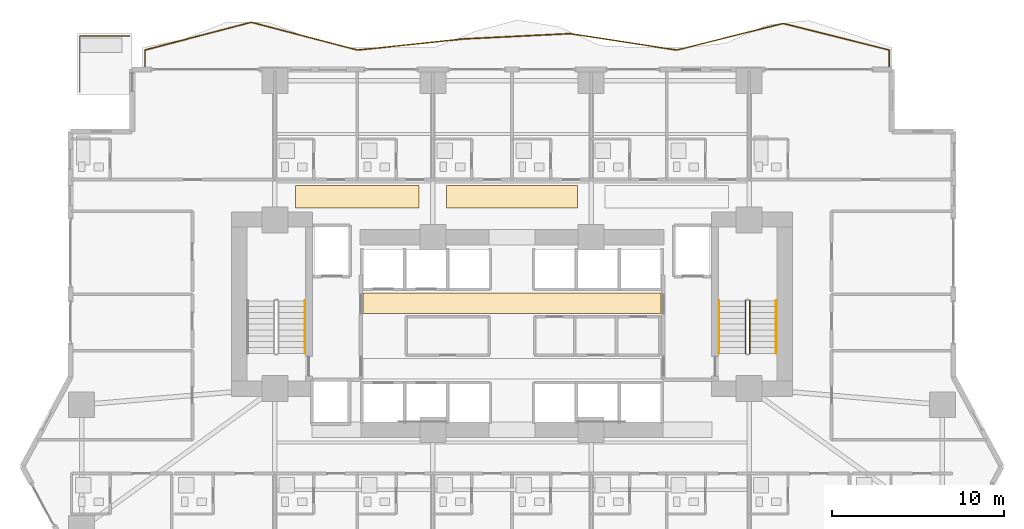
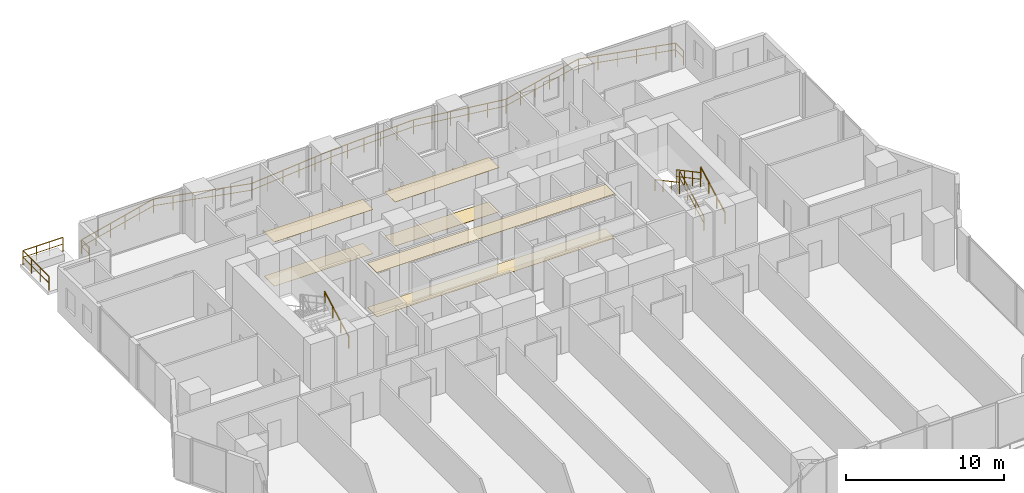
# One storey, part 27 of 29: 7 railings, 6 coverings.
"""IFC4 building model written with IfcOpenShell, lengths in metres."""

from ifc_helpers import new_model, si_unit, direction, frame, origin, origin_2d, place, context, subcontext, project, spatial, polyline, rectangle, outline, extrude, material, layer, layer_set, type_object, element, save


model = new_model("IFC4")

# Units and contexts
model_context = context("Model", 3, precision=1e-05, world=origin(), true_north=direction((0.0, 1.0)))
body_context = subcontext(model_context, "Body", "Model", "MODEL_VIEW")
ifc_project = project(units=[si_unit("LENGTHUNIT", "METRE"), si_unit("AREAUNIT", "SQUARE_METRE"), si_unit("VOLUMEUNIT", "CUBIC_METRE"), si_unit("PLANEANGLEUNIT", "RADIAN"), si_unit("MASSUNIT", "GRAM", prefix="KILO")], contexts=[model_context])

# Site, building, storey
site_placement = place(None, origin())
site = spatial("IfcSite", under=ifc_project, at=site_placement, CompositionType="ELEMENT")
building_placement = place(site_placement, origin())
building = spatial("IfcBuilding", under=site, at=building_placement, Name="Zuhayl Quay Hotel", CompositionType="ELEMENT")
storey_placement = place(building_placement, frame((0.0, 0.0, 67.75)))
storey = spatial("IfcBuildingStorey", under=building, at=storey_placement, Name="L16", CompositionType="ELEMENT", Elevation=67.75)

# Coverings
ifc_material_1 = material(Name="Acoustic Mineral-Fibre Gypsum Board")
ifc_layer_1 = layer(ifc_material_1, 0.02490234375, Name="Acoustic Mineral-Fibre Gypsum Board")
ifc_layer_set_1 = layer_set([ifc_layer_1], Name="Acoustic Mineral-Fibre Gypsum Board")
covering_type_1 = type_object("IfcCoveringType", Name="CV_CEIL_ACOUSTIC", PredefinedType="CEILING", material=ifc_layer_set_1)
covering_1_placement = place(storey_placement, frame((0.0, 0.0, 3.405029296875)))
element("IfcCovering", 1, at=covering_1_placement, inside=storey, type_object=covering_type_1, Name="L16 Suspended Acoustic Lobby Ceiling N", PredefinedType="CEILING", context=body_context, shape_type="SweptSolid", body=[
    extrude(outline(polyline([(-8.679931640625, 8.89990234375), (8.679931640625, 8.89990234375), (8.679931640625, 10.10009765625), (-8.679931640625, 10.10009765625), (-8.679931640625, 8.89990234375)])), origin(), (0.0, 0.0, 1.0), 0.02490234375),
])
covering_2_placement = place(storey_placement, frame((0.0, 0.0, 3.405029296875)))
element("IfcCovering", 2, at=covering_2_placement, inside=storey, type_object=covering_type_1, Name="L16 Guest Corridor Acoustic Ceiling CW", PredefinedType="CEILING", context=body_context, shape_type="SweptSolid", body=[
    extrude(outline(polyline([(-12.60009765625, 15.050048828125), (-5.39990234375, 15.050048828125), (-5.39990234375, 16.35009765625), (-12.60009765625, 16.35009765625), (-12.60009765625, 15.050048828125)])), origin(), (0.0, 0.0, 1.0), 0.02490234375),
])
covering_3_placement = place(storey_placement, frame((0.0, 0.0, 3.405029296875)))
element("IfcCovering", 3, at=covering_3_placement, inside=storey, type_object=covering_type_1, Name="L16 Guest Corridor Acoustic Ceiling CC", PredefinedType="CEILING", context=body_context, shape_type="SweptSolid", body=[
    extrude(outline(polyline([(-3.800048828125, 15.050048828125), (3.800048828125, 15.050048828125), (3.800048828125, 16.35009765625), (-3.800048828125, 16.35009765625), (-3.800048828125, 15.050048828125)])), origin(), (0.0, 0.0, 1.0), 0.02490234375),
])
ifc_material_2 = material(Name="Polished Limestone Terrazzo", Category="masonry")
ifc_layer_2 = layer(ifc_material_2, 0.02001953125, Name="Polished Limestone Terrazzo", Category="masonry")
ifc_layer_set_2 = layer_set([ifc_layer_2], Name="Polished Limestone Terrazzo")
covering_type_2 = type_object("IfcCoveringType", Name="CV_FLOOR_TERRAZZO", PredefinedType="FLOORING", material=ifc_layer_set_2)
covering_4_placement = place(storey_placement, origin())
element("IfcCovering", 4, at=covering_4_placement, inside=storey, type_object=covering_type_2, Name="L16 Honed Limestone Terrazzo Lobby Flooring N", PredefinedType="FLOORING", context=body_context, shape_type="SweptSolid", body=[
    extrude(outline(polyline([(-8.679931640625, 8.89990234375), (8.679931640625, 8.89990234375), (8.679931640625, 10.10009765625), (-8.679931640625, 10.10009765625), (-8.679931640625, 8.89990234375)])), origin(), (0.0, 0.0, 1.0), 0.02001953125),
])
covering_5_placement = place(storey_placement, origin())
element("IfcCovering", 5, at=covering_5_placement, inside=storey, type_object=covering_type_2, Name="L16 Guest Corridor Terrazzo Runner CW", PredefinedType="FLOORING", context=body_context, shape_type="SweptSolid", body=[
    extrude(outline(polyline([(-12.60009765625, 15.050048828125), (-5.39990234375, 15.050048828125), (-5.39990234375, 16.35009765625), (-12.60009765625, 16.35009765625), (-12.60009765625, 15.050048828125)])), origin(), (0.0, 0.0, 1.0), 0.02001953125),
])
covering_6_placement = place(storey_placement, origin())
element("IfcCovering", 6, at=covering_6_placement, inside=storey, type_object=covering_type_2, Name="L16 Guest Corridor Terrazzo Runner CC", PredefinedType="FLOORING", context=body_context, shape_type="SweptSolid", body=[
    extrude(outline(polyline([(-3.800048828125, 15.050048828125), (3.800048828125, 15.050048828125), (3.800048828125, 16.35009765625), (-3.800048828125, 16.35009765625), (-3.800048828125, 15.050048828125)])), origin(), (0.0, 0.0, 1.0), 0.02001953125),
])

# Railings
ifc_material_3 = material(Name="Anodised Aluminium and Laminated Glass", Category="aluminium")
railing_type_1 = type_object("IfcRailingType", Name="RL_EXT_BAL_1100", PredefinedType="BALUSTRADE", material=ifc_material_3)
railing_1_placement = place(storey_placement, frame((-21.360107421875, 23.219970703125, 0.0)))
element("IfcRailing", 7, at=railing_1_placement, inside=storey, type_object=railing_type_1, Name="L16 Balcony and Terrace Guard GR_L16_BAL_N", PredefinedType="BALUSTRADE", context=body_context, shape_type="SweptSolid", body=[
    extrude(rectangle(XDim=0.048095703125, YDim=0.048095703125, at=origin_2d()), frame((0.0, 0.0, 1.09619140625), z_axis=(0.0, 1.0, 0.0), x_axis=(-1.0, 0.0, 0.0)), (0.0, 0.0, 1.0), 1.02001953125),
    extrude(rectangle(XDim=0.0361328125, YDim=0.0361328125, at=origin_2d()), frame((0.0, 0.0, 0.58251953125), z_axis=(0.0, 1.0, 0.0), x_axis=(-1.0, 0.0, 0.0)), (0.0, 0.0, 1.0), 1.02001953125),
    extrude(rectangle(XDim=0.048095703125, YDim=0.048095703125, at=origin_2d()), frame((0.0, 1.02001953125, 1.09619140625), z_axis=(0.967549952215, 0.2526798171, 0.0), x_axis=(-0.2526798171, 0.967549952215, 0.0)), (0.0, 0.0, 1.0), 6.396240234375),
    extrude(rectangle(XDim=0.0361328125, YDim=0.0361328125, at=origin_2d()), frame((0.0, 1.02001953125, 0.58251953125), z_axis=(0.967549952215, 0.2526798171, 0.0), x_axis=(-0.2526798171, 0.967549952215, 0.0)), (0.0, 0.0, 1.0), 6.396240234375),
    extrude(rectangle(XDim=0.048095703125, YDim=0.048095703125, at=origin_2d()), frame((6.188720703125, 2.63623046875, 1.09619140625), z_axis=(0.96754751509, -0.252689149041, 0.0), x_axis=(0.252689149041, 0.96754751509, 0.0)), (0.0, 0.0, 1.0), 6.39599609375),
    extrude(rectangle(XDim=0.0361328125, YDim=0.0361328125, at=origin_2d()), frame((6.188720703125, 2.63623046875, 0.58251953125), z_axis=(0.96754751509, -0.252689149041, 0.0), x_axis=(0.252689149041, 0.96754751509, 0.0)), (0.0, 0.0, 1.0), 6.39599609375),
    extrude(rectangle(XDim=0.048095703125, YDim=0.048095703125, at=origin_2d()), frame((12.377197265625, 1.02001953125, 1.09619140625), z_axis=(0.994551577274, 0.104245672051, 0.0), x_axis=(-0.104245672051, 0.994551577274, 0.0)), (0.0, 0.0, 1.0), 6.22265625),
    extrude(rectangle(XDim=0.0361328125, YDim=0.0361328125, at=origin_2d()), frame((12.377197265625, 1.02001953125, 0.58251953125), z_axis=(0.994551577274, 0.104245672051, 0.0), x_axis=(-0.104245672051, 0.994551577274, 0.0)), (0.0, 0.0, 1.0), 6.22265625),
    extrude(rectangle(XDim=0.048095703125, YDim=0.048095703125, at=origin_2d()), frame((18.56591796875, 1.668701171875, 1.09619140625), z_axis=(0.998780477728, 0.04937162453, 0.0), x_axis=(-0.04937162453, 0.998780477728, 0.0)), (0.0, 0.0, 1.0), 6.196044921875),
    extrude(rectangle(XDim=0.0361328125, YDim=0.0361328125, at=origin_2d()), frame((18.56591796875, 1.668701171875, 0.58251953125), z_axis=(0.998780477728, 0.04937162453, 0.0), x_axis=(-0.04937162453, 0.998780477728, 0.0)), (0.0, 0.0, 1.0), 6.196044921875),
    extrude(rectangle(XDim=0.048095703125, YDim=0.048095703125, at=origin_2d()), frame((24.75439453125, 1.974609375, 1.09619140625), z_axis=(0.988312125533, -0.152443899595, 0.0), x_axis=(0.152443899595, 0.988312125533, 0.0)), (0.0, 0.0, 1.0), 6.261962890625),
    extrude(rectangle(XDim=0.0361328125, YDim=0.0361328125, at=origin_2d()), frame((24.75439453125, 1.974609375, 0.58251953125), z_axis=(0.988312125533, -0.152443899595, 0.0), x_axis=(0.152443899595, 0.988312125533, 0.0)), (0.0, 0.0, 1.0), 6.261962890625),
    extrude(rectangle(XDim=0.048095703125, YDim=0.048095703125, at=origin_2d()), frame((30.943115234375, 1.02001953125, 1.09619140625), z_axis=(0.970070419522, 0.242823765657, 0.0), x_axis=(-0.242823765657, 0.970070419522, 0.0)), (0.0, 0.0, 1.0), 6.37939453125),
    extrude(rectangle(XDim=0.0361328125, YDim=0.0361328125, at=origin_2d()), frame((30.943115234375, 1.02001953125, 0.58251953125), z_axis=(0.970070419522, 0.242823765657, 0.0), x_axis=(-0.242823765657, 0.970070419522, 0.0)), (0.0, 0.0, 1.0), 6.37939453125),
    extrude(rectangle(XDim=0.048095703125, YDim=0.048095703125, at=origin_2d()), frame((37.131591796875, 2.569091796875, 1.09619140625), z_axis=(0.970070419522, -0.242823765657, 0.0), x_axis=(0.242823765657, 0.970070419522, 0.0)), (0.0, 0.0, 1.0), 6.37939453125),
    extrude(rectangle(XDim=0.0361328125, YDim=0.0361328125, at=origin_2d()), frame((37.131591796875, 2.569091796875, 0.58251953125), z_axis=(0.970070419522, -0.242823765657, 0.0), x_axis=(0.242823765657, 0.970070419522, 0.0)), (0.0, 0.0, 1.0), 6.37939453125),
    extrude(rectangle(XDim=0.048095703125, YDim=0.048095703125, at=origin_2d()), frame((43.320068359375, 1.02001953125, 1.09619140625), z_axis=(0.0, -1.0, 0.0), x_axis=(1.0, 0.0, 0.0)), (0.0, 0.0, 1.0), 1.02001953125),
    extrude(rectangle(XDim=0.0361328125, YDim=0.0361328125, at=origin_2d()), frame((43.320068359375, 1.02001953125, 0.58251953125), z_axis=(0.0, -1.0, 0.0), x_axis=(1.0, 0.0, 0.0)), (0.0, 0.0, 1.0), 1.02001953125),
    extrude(rectangle(XDim=0.0419921875, YDim=0.0419921875, at=origin_2d()), origin(), (0.0, 0.0, 1.0), 1.072021484375),
    extrude(rectangle(XDim=0.0419921875, YDim=0.0419921875, at=origin_2d()), frame((0.0, 1.02001953125, 0.0)), (0.0, 0.0, 1.0), 1.072021484375),
    extrude(rectangle(XDim=0.0419921875, YDim=0.0419921875, at=origin_2d()), frame((1.23779296875, 1.34326171875, 0.0)), (0.0, 0.0, 1.0), 1.072021484375),
    extrude(rectangle(XDim=0.0419921875, YDim=0.0419921875, at=origin_2d()), frame((2.4755859375, 1.66650390625, 0.0)), (0.0, 0.0, 1.0), 1.072021484375),
    extrude(rectangle(XDim=0.0419921875, YDim=0.0419921875, at=origin_2d()), frame((3.713134765625, 1.98974609375, 0.0)), (0.0, 0.0, 1.0), 1.072021484375),
    extrude(rectangle(XDim=0.0419921875, YDim=0.0419921875, at=origin_2d()), frame((4.950927734375, 2.31298828125, 0.0)), (0.0, 0.0, 1.0), 1.072021484375),
    extrude(rectangle(XDim=0.0419921875, YDim=0.0419921875, at=origin_2d()), frame((6.188720703125, 2.63623046875, 0.0)), (0.0, 0.0, 1.0), 1.072021484375),
    extrude(rectangle(XDim=0.0419921875, YDim=0.0419921875, at=origin_2d()), frame((7.426513671875, 2.31298828125, 0.0)), (0.0, 0.0, 1.0), 1.072021484375),
    extrude(rectangle(XDim=0.0419921875, YDim=0.0419921875, at=origin_2d()), frame((8.6640625, 1.98974609375, 0.0)), (0.0, 0.0, 1.0), 1.072021484375),
    extrude(rectangle(XDim=0.0419921875, YDim=0.0419921875, at=origin_2d()), frame((9.90185546875, 1.66650390625, 0.0)), (0.0, 0.0, 1.0), 1.072021484375),
    extrude(rectangle(XDim=0.0419921875, YDim=0.0419921875, at=origin_2d()), frame((11.139404296875, 1.34326171875, 0.0)), (0.0, 0.0, 1.0), 1.072021484375),
    extrude(rectangle(XDim=0.0419921875, YDim=0.0419921875, at=origin_2d()), frame((12.377197265625, 1.02001953125, 0.0)), (0.0, 0.0, 1.0), 1.072021484375),
    extrude(rectangle(XDim=0.0419921875, YDim=0.0419921875, at=origin_2d()), frame((13.614990234375, 1.149658203125, 0.0)), (0.0, 0.0, 1.0), 1.072021484375),
    extrude(rectangle(XDim=0.0419921875, YDim=0.0419921875, at=origin_2d()), frame((14.852783203125, 1.279541015625, 0.0)), (0.0, 0.0, 1.0), 1.072021484375),
    extrude(rectangle(XDim=0.0419921875, YDim=0.0419921875, at=origin_2d()), frame((16.09033203125, 1.4091796875, 0.0)), (0.0, 0.0, 1.0), 1.072021484375),
    extrude(rectangle(XDim=0.0419921875, YDim=0.0419921875, at=origin_2d()), frame((17.328125, 1.5390625, 0.0)), (0.0, 0.0, 1.0), 1.072021484375),
    extrude(rectangle(XDim=0.0419921875, YDim=0.0419921875, at=origin_2d()), frame((18.56591796875, 1.668701171875, 0.0)), (0.0, 0.0, 1.0), 1.072021484375),
    extrude(rectangle(XDim=0.0419921875, YDim=0.0419921875, at=origin_2d()), frame((19.8037109375, 1.72998046875, 0.0)), (0.0, 0.0, 1.0), 1.072021484375),
    extrude(rectangle(XDim=0.0419921875, YDim=0.0419921875, at=origin_2d()), frame((21.041259765625, 1.791015625, 0.0)), (0.0, 0.0, 1.0), 1.072021484375),
    extrude(rectangle(XDim=0.0419921875, YDim=0.0419921875, at=origin_2d()), frame((22.279052734375, 1.852294921875, 0.0)), (0.0, 0.0, 1.0), 1.072021484375),
    extrude(rectangle(XDim=0.0419921875, YDim=0.0419921875, at=origin_2d()), frame((23.5166015625, 1.913330078125, 0.0)), (0.0, 0.0, 1.0), 1.072021484375),
    extrude(rectangle(XDim=0.0419921875, YDim=0.0419921875, at=origin_2d()), frame((24.75439453125, 1.974609375, 0.0)), (0.0, 0.0, 1.0), 1.072021484375),
    extrude(rectangle(XDim=0.0419921875, YDim=0.0419921875, at=origin_2d()), frame((25.9921875, 1.78369140625, 0.0)), (0.0, 0.0, 1.0), 1.072021484375),
    extrude(rectangle(XDim=0.0419921875, YDim=0.0419921875, at=origin_2d()), frame((27.22998046875, 1.5927734375, 0.0)), (0.0, 0.0, 1.0), 1.072021484375),
    extrude(rectangle(XDim=0.0419921875, YDim=0.0419921875, at=origin_2d()), frame((28.467529296875, 1.40185546875, 0.0)), (0.0, 0.0, 1.0), 1.072021484375),
    extrude(rectangle(XDim=0.0419921875, YDim=0.0419921875, at=origin_2d()), frame((29.705322265625, 1.2109375, 0.0)), (0.0, 0.0, 1.0), 1.072021484375),
    extrude(rectangle(XDim=0.0419921875, YDim=0.0419921875, at=origin_2d()), frame((30.943115234375, 1.02001953125, 0.0)), (0.0, 0.0, 1.0), 1.072021484375),
    extrude(rectangle(XDim=0.0419921875, YDim=0.0419921875, at=origin_2d()), frame((32.180908203125, 1.329833984375, 0.0)), (0.0, 0.0, 1.0), 1.072021484375),
    extrude(rectangle(XDim=0.0419921875, YDim=0.0419921875, at=origin_2d()), frame((33.41845703125, 1.6396484375, 0.0)), (0.0, 0.0, 1.0), 1.072021484375),
    extrude(rectangle(XDim=0.0419921875, YDim=0.0419921875, at=origin_2d()), frame((34.65625, 1.949462890625, 0.0)), (0.0, 0.0, 1.0), 1.072021484375),
    extrude(rectangle(XDim=0.0419921875, YDim=0.0419921875, at=origin_2d()), frame((35.893798828125, 2.25927734375, 0.0)), (0.0, 0.0, 1.0), 1.072021484375),
    extrude(rectangle(XDim=0.0419921875, YDim=0.0419921875, at=origin_2d()), frame((37.131591796875, 2.569091796875, 0.0)), (0.0, 0.0, 1.0), 1.072021484375),
    extrude(rectangle(XDim=0.0419921875, YDim=0.0419921875, at=origin_2d()), frame((38.369384765625, 2.25927734375, 0.0)), (0.0, 0.0, 1.0), 1.072021484375),
    extrude(rectangle(XDim=0.0419921875, YDim=0.0419921875, at=origin_2d()), frame((39.60693359375, 1.949462890625, 0.0)), (0.0, 0.0, 1.0), 1.072021484375),
    extrude(rectangle(XDim=0.0419921875, YDim=0.0419921875, at=origin_2d()), frame((40.8447265625, 1.6396484375, 0.0)), (0.0, 0.0, 1.0), 1.072021484375),
    extrude(rectangle(XDim=0.0419921875, YDim=0.0419921875, at=origin_2d()), frame((42.082275390625, 1.329833984375, 0.0)), (0.0, 0.0, 1.0), 1.072021484375),
    extrude(rectangle(XDim=0.0419921875, YDim=0.0419921875, at=origin_2d()), frame((43.320068359375, 1.02001953125, 0.0)), (0.0, 0.0, 1.0), 1.072021484375),
    extrude(rectangle(XDim=0.0419921875, YDim=0.0419921875, at=origin_2d()), frame((43.320068359375, 0.0, 0.0)), (0.0, 0.0, 1.0), 1.072021484375),
])
railing_2_placement = place(storey_placement, frame((-22.239990234375, 25.06005859375, 0.0)))
element("IfcRailing", 8, at=railing_2_placement, inside=storey, type_object=railing_type_1, Name="L16 Balcony and Terrace Guard GR_L16_SPIRAL_NW", PredefinedType="BALUSTRADE", context=body_context, shape_type="SweptSolid", body=[
    extrude(rectangle(XDim=0.048095703125, YDim=0.048095703125, at=origin_2d()), frame((0.0, 0.0, 1.09619140625), z_axis=(-1.0, 0.0, 0.0), x_axis=(0.0, -1.0, 0.0)), (0.0, 0.0, 1.0), 2.919921875),
    extrude(rectangle(XDim=0.0361328125, YDim=0.0361328125, at=origin_2d()), frame((0.0, 0.0, 0.58251953125), z_axis=(-1.0, 0.0, 0.0), x_axis=(0.0, -1.0, 0.0)), (0.0, 0.0, 1.0), 2.919921875),
    extrude(rectangle(XDim=0.048095703125, YDim=0.048095703125, at=origin_2d()), frame((-2.919921875, 0.0, 1.09619140625), z_axis=(0.0, -1.0, 0.0), x_axis=(1.0, 0.0, 0.0)), (0.0, 0.0, 1.0), 3.27001953125),
    extrude(rectangle(XDim=0.0361328125, YDim=0.0361328125, at=origin_2d()), frame((-2.919921875, 0.0, 0.58251953125), z_axis=(0.0, -1.0, 0.0), x_axis=(1.0, 0.0, 0.0)), (0.0, 0.0, 1.0), 3.27001953125),
    extrude(rectangle(XDim=0.0419921875, YDim=0.0419921875, at=origin_2d()), origin(), (0.0, 0.0, 1.0), 1.072021484375),
    extrude(rectangle(XDim=0.0419921875, YDim=0.0419921875, at=origin_2d()), frame((-0.973388671875, 0.0, 0.0)), (0.0, 0.0, 1.0), 1.072021484375),
    extrude(rectangle(XDim=0.0419921875, YDim=0.0419921875, at=origin_2d()), frame((-1.946533203125, 0.0, 0.0)), (0.0, 0.0, 1.0), 1.072021484375),
    extrude(rectangle(XDim=0.0419921875, YDim=0.0419921875, at=origin_2d()), frame((-2.919921875, 0.0, 0.0)), (0.0, 0.0, 1.0), 1.072021484375),
    extrude(rectangle(XDim=0.0419921875, YDim=0.0419921875, at=origin_2d()), frame((-2.919921875, -1.090087890625, 0.0)), (0.0, 0.0, 1.0), 1.072021484375),
    extrude(rectangle(XDim=0.0419921875, YDim=0.0419921875, at=origin_2d()), frame((-2.919921875, -2.179931640625, 0.0)), (0.0, 0.0, 1.0), 1.072021484375),
    extrude(rectangle(XDim=0.0419921875, YDim=0.0419921875, at=origin_2d()), frame((-2.919921875, -3.27001953125, 0.0)), (0.0, 0.0, 1.0), 1.072021484375),
])
ifc_material_4 = material(Name="Steel ASTM A992 Grade 50", Category="steel")
railing_type_2 = type_object("IfcRailingType", Name="RL_GUARD_1100", PredefinedType="GUARDRAIL", material=ifc_material_4)
railing_3_placement = place(storey_placement, frame((13.840087890625, 6.590087890625, 0.1826171875)))
element("IfcRailing", 9, at=railing_3_placement, inside=storey, type_object=railing_type_2, Name="L16 ST2 stair guard 1", PredefinedType="GUARDRAIL", context=body_context, shape_type="SweptSolid", body=[
    extrude(rectangle(XDim=0.048095703125, YDim=0.048095703125, at=origin_2d()), frame((0.0, 0.0, 1.09619140625), z_axis=(0.0, 0.881102395774, 0.472925541879), x_axis=(-1.0, 0.0, 0.0)), (0.0, 0.0, 1.0), 3.47265625),
    extrude(rectangle(XDim=0.0361328125, YDim=0.0361328125, at=origin_2d()), frame((0.0, 0.0, 0.58251953125), z_axis=(0.0, 0.881102395774, 0.472925541879), x_axis=(-1.0, 0.0, 0.0)), (0.0, 0.0, 1.0), 3.47265625),
    extrude(rectangle(XDim=0.0419921875, YDim=0.0419921875, at=origin_2d()), origin(), (0.0, 0.0, 1.0), 1.072021484375),
    extrude(rectangle(XDim=0.0419921875, YDim=0.0419921875, at=origin_2d()), frame((0.0, 1.02001953125, 0.54736328125)), (0.0, 0.0, 1.0), 1.072021484375),
    extrude(rectangle(XDim=0.0419921875, YDim=0.0419921875, at=origin_2d()), frame((0.0, 2.039794921875, 1.094970703125)), (0.0, 0.0, 1.0), 1.072021484375),
    extrude(rectangle(XDim=0.0419921875, YDim=0.0419921875, at=origin_2d()), frame((0.0, 3.059814453125, 1.642333984375)), (0.0, 0.0, 1.0), 1.072021484375),
])
railing_4_placement = place(storey_placement, frame((13.590087890625, 9.64990234375, 2.007568359375)))
element("IfcRailing", 10, at=railing_4_placement, inside=storey, type_object=railing_type_2, Name="L16 ST2 stair guard 3", PredefinedType="GUARDRAIL", context=body_context, shape_type="SweptSolid", body=[
    extrude(rectangle(XDim=0.048095703125, YDim=0.048095703125, at=origin_2d()), frame((0.0, 0.0, 1.09619140625), z_axis=(0.0, -0.881102395774, 0.472925541879), x_axis=(1.0, 0.0, 0.0)), (0.0, 0.0, 1.0), 3.47265625),
    extrude(rectangle(XDim=0.0361328125, YDim=0.0361328125, at=origin_2d()), frame((0.0, 0.0, 0.58251953125), z_axis=(0.0, -0.881102395774, 0.472925541879), x_axis=(1.0, 0.0, 0.0)), (0.0, 0.0, 1.0), 3.47265625),
    extrude(rectangle(XDim=0.0419921875, YDim=0.0419921875, at=origin_2d()), origin(), (0.0, 0.0, 1.0), 1.072021484375),
    extrude(rectangle(XDim=0.0419921875, YDim=0.0419921875, at=origin_2d()), frame((0.0, -1.02001953125, 0.54736328125)), (0.0, 0.0, 1.0), 1.072021484375),
    extrude(rectangle(XDim=0.0419921875, YDim=0.0419921875, at=origin_2d()), frame((0.0, -2.039794921875, 1.094970703125)), (0.0, 0.0, 1.0), 1.072021484375),
    extrude(rectangle(XDim=0.0419921875, YDim=0.0419921875, at=origin_2d()), frame((0.0, -3.059814453125, 1.642333984375)), (0.0, 0.0, 1.0), 1.072021484375),
])
railing_type_3 = type_object("IfcRailingType", Name="RL_HANDRAIL_920", PredefinedType="HANDRAIL", material=ifc_material_4)
for number, where, name in (
    (11, (-12.050048828125, 6.590087890625, 0.1826171875), "L16 ST1 stair handrail 1"),
    (12, (15.3798828125, 6.590087890625, 0.1826171875), "L16 ST2 stair handrail 1"),
):
    element("IfcRailing", number, at=place(storey_placement, frame(where)), inside=storey, type_object=railing_type_3, Name=name, PredefinedType="HANDRAIL", context=body_context, shape_type="SweptSolid", body=[
        extrude(rectangle(XDim=0.048095703125, YDim=0.048095703125, at=origin_2d()), frame((0.0, 0.0, 0.8759765625), z_axis=(0.0, 0.881102395774, 0.472925541879), x_axis=(-1.0, 0.0, 0.0)), (0.0, 0.0, 1.0), 3.47265625),
        extrude(rectangle(XDim=0.0419921875, YDim=0.0419921875, at=origin_2d()), origin(), (0.0, 0.0, 1.0), 0.851806640625),
        extrude(rectangle(XDim=0.0419921875, YDim=0.0419921875, at=origin_2d()), frame((0.0, 1.02001953125, 0.54736328125)), (0.0, 0.0, 1.0), 0.851806640625),
        extrude(rectangle(XDim=0.0419921875, YDim=0.0419921875, at=origin_2d()), frame((0.0, 2.039794921875, 1.094970703125)), (0.0, 0.0, 1.0), 0.851806640625),
        extrude(rectangle(XDim=0.0419921875, YDim=0.0419921875, at=origin_2d()), frame((0.0, 3.059814453125, 1.642333984375)), (0.0, 0.0, 1.0), 0.851806640625),
    ])
railing_5_placement = place(storey_placement, frame((12.050048828125, 9.64990234375, 2.007568359375)))
element("IfcRailing", 13, at=railing_5_placement, inside=storey, type_object=railing_type_3, Name="L16 ST2 stair handrail 2", PredefinedType="HANDRAIL", context=body_context, shape_type="SweptSolid", body=[
    extrude(rectangle(XDim=0.048095703125, YDim=0.048095703125, at=origin_2d()), frame((0.0, 0.0, 0.8759765625), z_axis=(0.0, -0.881102395774, 0.472925541879), x_axis=(1.0, 0.0, 0.0)), (0.0, 0.0, 1.0), 3.47265625),
    extrude(rectangle(XDim=0.0419921875, YDim=0.0419921875, at=origin_2d()), origin(), (0.0, 0.0, 1.0), 0.851806640625),
    extrude(rectangle(XDim=0.0419921875, YDim=0.0419921875, at=origin_2d()), frame((0.0, -1.02001953125, 0.54736328125)), (0.0, 0.0, 1.0), 0.851806640625),
    extrude(rectangle(XDim=0.0419921875, YDim=0.0419921875, at=origin_2d()), frame((0.0, -2.039794921875, 1.094970703125)), (0.0, 0.0, 1.0), 0.851806640625),
    extrude(rectangle(XDim=0.0419921875, YDim=0.0419921875, at=origin_2d()), frame((0.0, -3.059814453125, 1.642333984375)), (0.0, 0.0, 1.0), 0.851806640625),
])

save(model, "model.ifc")
